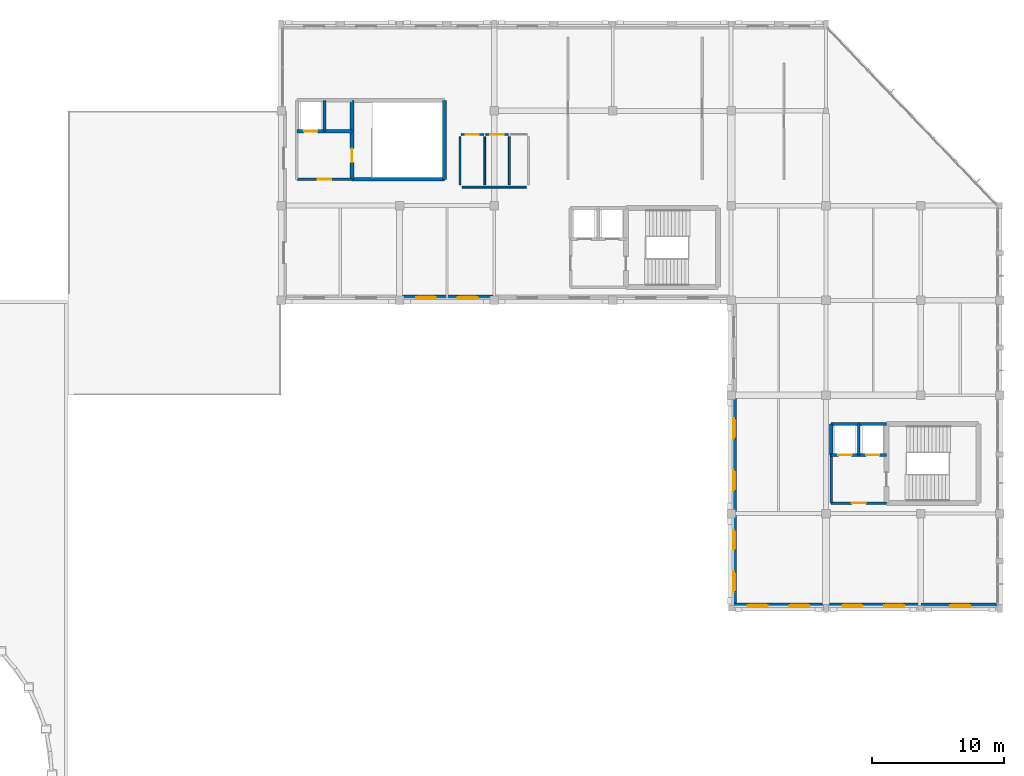
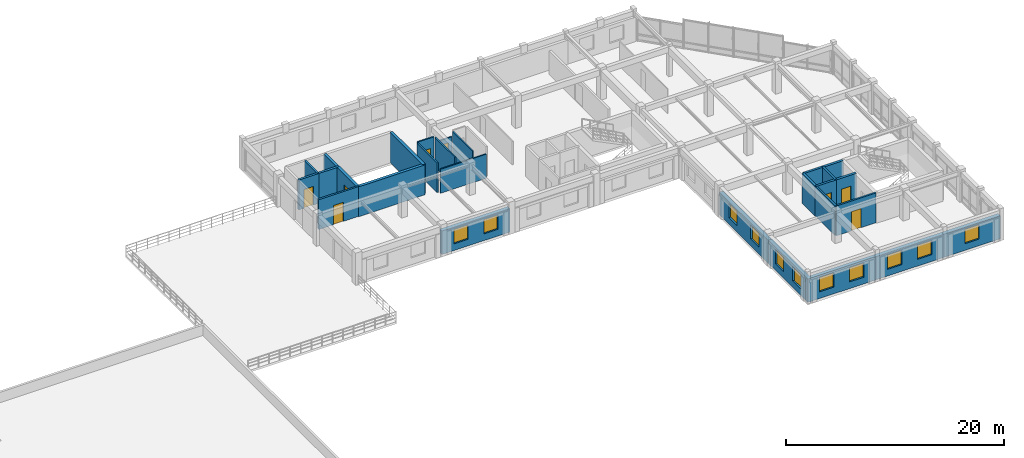
# One storey, part 13 of 18: 26 walls, 11 windows, 8 doors, 19 openings.
"""IFC4 building model written with IfcOpenShell, lengths in metres."""

from ifc_helpers import new_model, si_unit, direction, frame, frame_2d, origin, place, context, subcontext, project, spatial, rectangle, extrude, material, layer, layer_set, type_object, element, fill, save


model = new_model("IFC4")

# Units and contexts
model_context = context("Model", 3, precision=1e-05, world=origin(), true_north=direction((0.0, 1.0)))
body_context = subcontext(model_context, "Body", "Model", "MODEL_VIEW")
ifc_project = project(units=[si_unit("LENGTHUNIT", "METRE"), si_unit("AREAUNIT", "SQUARE_METRE"), si_unit("VOLUMEUNIT", "CUBIC_METRE"), si_unit("PLANEANGLEUNIT", "RADIAN"), si_unit("MASSUNIT", "GRAM", prefix="KILO")], contexts=[model_context])

# Site, building, storey
site_placement = place(None, origin())
site = spatial("IfcSite", under=ifc_project, at=site_placement, CompositionType="ELEMENT")
building_placement = place(site_placement, origin())
building = spatial("IfcBuilding", under=site, at=building_placement, Name="Clarverna Civic Hall", CompositionType="ELEMENT")
storey_placement = place(building_placement, frame((0.0, 0.0, 20.39990234375)))
storey = spatial("IfcBuildingStorey", under=building, at=storey_placement, Name="L05", CompositionType="ELEMENT", Elevation=20.39990234375)

# Wall, opening, window
ifc_material_1 = material(Name="Montjuic Limestone Ashlar Cladding", Category="masonry")
ifc_layer_1 = layer(ifc_material_1, 0.39990234375)
ifc_layer_set_1 = layer_set([ifc_layer_1], Name="Montjuic Limestone Ashlar Cladding")
wall_type_1 = type_object("IfcWallType", Name="EW-02", PredefinedType="SOLIDWALL", material=ifc_layer_set_1)
wall_1_placement = place(storey_placement, frame((168.0, 71.800048828125, 0.0), z_axis=(0.0, 0.0, 1.0), x_axis=(-1.0, 0.0, 0.0)))
wall_1 = element("IfcWall", 1, at=wall_1_placement, inside=storey, type_object=wall_type_1, Name="EW-02-259", PredefinedType="SOLIDWALL", context=body_context, shape_type="SweptSolid", body=[
    extrude(rectangle(XDim=6.0, YDim=0.39990234375, at=frame_2d((3.0, 0.0))), origin(), (0.0, 0.0, 1.0), 2.590087890625),
])
opening_1_placement = place(wall_1_placement, frame((2.25, 0.0, 0.75)))
opening_1 = element("IfcOpeningElement", 2, at=opening_1_placement, cuts=wall_1, Name="Opening WN-14", PredefinedType="OPENING", context=body_context, shape_type="SweptSolid", body=[
    extrude(rectangle(XDim=1.5, YDim=1.60009765625, at=frame_2d((0.75, 0.800048828125))), frame((0.0, 0.2099609375, 0.0), z_axis=(0.0, -1.0, 0.0), x_axis=(1.0, 0.0, 0.0)), (0.0, 0.0, 1.0), 0.419921875),
])
ifc_material_2 = material(Name="Solar-Control Argon Low-E Double Glazing", Category="glass")
window_type = type_object("IfcWindowType", Name="WN-14", PartitioningType="DOUBLE_PANEL_HORIZONTAL", PredefinedType="WINDOW", material=ifc_material_2)
window_1_placement = place(opening_1_placement, origin())
window_1 = element("IfcWindow", 3, at=window_1_placement, inside=storey, type_object=window_type, Name="WN-14-298", OverallHeight=1.60009765625, OverallWidth=1.5, PartitioningType="DOUBLE_PANEL_HORIZONTAL", PredefinedType="WINDOW", context=body_context, shape_type="SweptSolid", body=[
    extrude(rectangle(XDim=1.5, YDim=1.60009765625, at=frame_2d((0.75, 0.800048828125))), frame((0.0, 0.030029296875, 0.0), z_axis=(0.0, -1.0, 0.0), x_axis=(1.0, 0.0, 0.0)), (0.0, 0.0, 1.0), 0.06005859375),
])
fill(opening_1, window_1)

# Wall, openings, windows
wall_2_placement = place(storey_placement, frame((162.0, 71.800048828125, 0.0), z_axis=(0.0, 0.0, 1.0), x_axis=(-1.0, 0.0, 0.0)))
wall_2 = element("IfcWall", 4, at=wall_2_placement, inside=storey, type_object=wall_type_1, Name="EW-02-260", PredefinedType="SOLIDWALL", context=body_context, shape_type="SweptSolid", body=[
    extrude(rectangle(XDim=7.199951171875, YDim=0.39990234375, at=frame_2d((3.60009765625, 0.0))), origin(), (0.0, 0.0, 1.0), 2.590087890625),
])
opening_2_placement = place(wall_2_placement, frame((1.26611328125, 0.0, 0.75)))
opening_2 = element("IfcOpeningElement", 5, at=opening_2_placement, cuts=wall_2, Name="Opening WN-14", PredefinedType="OPENING", context=body_context, shape_type="SweptSolid", body=[
    extrude(rectangle(XDim=1.5, YDim=1.60009765625, at=frame_2d((0.75, 0.800048828125))), frame((0.0, 0.2099609375, 0.0), z_axis=(0.0, -1.0, 0.0), x_axis=(1.0, 0.0, 0.0)), (0.0, 0.0, 1.0), 0.419921875),
])
opening_3_placement = place(wall_2_placement, frame((4.43408203125, 0.0, 0.75)))
opening_3 = element("IfcOpeningElement", 6, at=opening_3_placement, cuts=wall_2, Name="Opening WN-14", PredefinedType="OPENING", context=body_context, shape_type="SweptSolid", body=[
    extrude(rectangle(XDim=1.5, YDim=1.60009765625, at=frame_2d((0.75, 0.800048828125))), frame((0.0, 0.2099609375, 0.0), z_axis=(0.0, -1.0, 0.0), x_axis=(1.0, 0.0, 0.0)), (0.0, 0.0, 1.0), 0.419921875),
])
window_2_placement = place(opening_2_placement, origin())
window_2 = element("IfcWindow", 7, at=window_2_placement, inside=storey, type_object=window_type, Name="WN-14-299", OverallHeight=1.60009765625, OverallWidth=1.5, PartitioningType="DOUBLE_PANEL_HORIZONTAL", PredefinedType="WINDOW", context=body_context, shape_type="SweptSolid", body=[
    extrude(rectangle(XDim=1.5, YDim=1.60009765625, at=frame_2d((0.75, 0.800048828125))), frame((0.0, 0.030029296875, 0.0), z_axis=(0.0, -1.0, 0.0), x_axis=(1.0, 0.0, 0.0)), (0.0, 0.0, 1.0), 0.06005859375),
])
fill(opening_2, window_2)
window_3_placement = place(opening_3_placement, origin())
window_3 = element("IfcWindow", 8, at=window_3_placement, inside=storey, type_object=window_type, Name="WN-14-300", OverallHeight=1.60009765625, OverallWidth=1.5, PartitioningType="DOUBLE_PANEL_HORIZONTAL", PredefinedType="WINDOW", context=body_context, shape_type="SweptSolid", body=[
    extrude(rectangle(XDim=1.5, YDim=1.60009765625, at=frame_2d((0.75, 0.800048828125))), frame((0.0, 0.030029296875, 0.0), z_axis=(0.0, -1.0, 0.0), x_axis=(1.0, 0.0, 0.0)), (0.0, 0.0, 1.0), 0.06005859375),
])
fill(opening_3, window_3)

wall_3_placement = place(storey_placement, frame((154.800048828125, 71.800048828125, 0.0), z_axis=(0.0, 0.0, 1.0), x_axis=(-1.0, 0.0, 0.0)))
wall_3 = element("IfcWall", 9, at=wall_3_placement, inside=storey, type_object=wall_type_1, Name="EW-02-261", PredefinedType="SOLIDWALL", context=body_context, shape_type="SweptSolid", body=[
    extrude(rectangle(XDim=7.199951171875, YDim=0.39990234375, at=frame_2d((3.60009765625, 0.0))), origin(), (0.0, 0.0, 1.0), 2.590087890625),
])
opening_4_placement = place(wall_3_placement, frame((1.26611328125, 0.0, 0.75)))
opening_4 = element("IfcOpeningElement", 10, at=opening_4_placement, cuts=wall_3, Name="Opening WN-14", PredefinedType="OPENING", context=body_context, shape_type="SweptSolid", body=[
    extrude(rectangle(XDim=1.5, YDim=1.60009765625, at=frame_2d((0.75, 0.800048828125))), frame((0.0, 0.2099609375, 0.0), z_axis=(0.0, -1.0, 0.0), x_axis=(1.0, 0.0, 0.0)), (0.0, 0.0, 1.0), 0.419921875),
])
opening_5_placement = place(wall_3_placement, frame((4.43408203125, 0.0, 0.75)))
opening_5 = element("IfcOpeningElement", 11, at=opening_5_placement, cuts=wall_3, Name="Opening WN-14", PredefinedType="OPENING", context=body_context, shape_type="SweptSolid", body=[
    extrude(rectangle(XDim=1.5, YDim=1.60009765625, at=frame_2d((0.75, 0.800048828125))), frame((0.0, 0.2099609375, 0.0), z_axis=(0.0, -1.0, 0.0), x_axis=(1.0, 0.0, 0.0)), (0.0, 0.0, 1.0), 0.419921875),
])
window_4_placement = place(opening_4_placement, origin())
window_4 = element("IfcWindow", 12, at=window_4_placement, inside=storey, type_object=window_type, Name="WN-14-301", OverallHeight=1.60009765625, OverallWidth=1.5, PartitioningType="DOUBLE_PANEL_HORIZONTAL", PredefinedType="WINDOW", context=body_context, shape_type="SweptSolid", body=[
    extrude(rectangle(XDim=1.5, YDim=1.60009765625, at=frame_2d((0.75, 0.800048828125))), frame((0.0, 0.030029296875, 0.0), z_axis=(0.0, -1.0, 0.0), x_axis=(1.0, 0.0, 0.0)), (0.0, 0.0, 1.0), 0.06005859375),
])
fill(opening_4, window_4)
window_5_placement = place(opening_5_placement, origin())
window_5 = element("IfcWindow", 13, at=window_5_placement, inside=storey, type_object=window_type, Name="WN-14-302", OverallHeight=1.60009765625, OverallWidth=1.5, PartitioningType="DOUBLE_PANEL_HORIZONTAL", PredefinedType="WINDOW", context=body_context, shape_type="SweptSolid", body=[
    extrude(rectangle(XDim=1.5, YDim=1.60009765625, at=frame_2d((0.75, 0.800048828125))), frame((0.0, 0.030029296875, 0.0), z_axis=(0.0, -1.0, 0.0), x_axis=(1.0, 0.0, 0.0)), (0.0, 0.0, 1.0), 0.06005859375),
])
fill(opening_5, window_5)

wall_4_placement = place(storey_placement, frame((147.800048828125, 71.60009765625, 0.0), z_axis=(0.0, 0.0, 1.0), x_axis=(0.0, 1.0, 0.0)))
wall_4 = element("IfcWall", 14, at=wall_4_placement, inside=storey, type_object=wall_type_1, Name="EW-02-262", PredefinedType="SOLIDWALL", context=body_context, shape_type="SweptSolid", body=[
    extrude(rectangle(XDim=7.199951171875, YDim=0.39990234375, at=frame_2d((3.60009765625, 0.0))), origin(), (0.0, 0.0, 1.0), 2.6201171875),
])
opening_6_placement = place(wall_4_placement, frame((1.26611328125, 0.0, 0.75)))
opening_6 = element("IfcOpeningElement", 15, at=opening_6_placement, cuts=wall_4, Name="Opening WN-14", PredefinedType="OPENING", context=body_context, shape_type="SweptSolid", body=[
    extrude(rectangle(XDim=1.5, YDim=1.60009765625, at=frame_2d((0.75, 0.800048828125))), frame((0.0, 0.2099609375, 0.0), z_axis=(0.0, -1.0, 0.0), x_axis=(1.0, 0.0, 0.0)), (0.0, 0.0, 1.0), 0.419921875),
])
opening_7_placement = place(wall_4_placement, frame((4.43408203125, 0.0, 0.75)))
opening_7 = element("IfcOpeningElement", 16, at=opening_7_placement, cuts=wall_4, Name="Opening WN-14", PredefinedType="OPENING", context=body_context, shape_type="SweptSolid", body=[
    extrude(rectangle(XDim=1.5, YDim=1.60009765625, at=frame_2d((0.75, 0.800048828125))), frame((0.0, 0.2099609375, 0.0), z_axis=(0.0, -1.0, 0.0), x_axis=(1.0, 0.0, 0.0)), (0.0, 0.0, 1.0), 0.419921875),
])
window_6_placement = place(opening_6_placement, origin())
window_6 = element("IfcWindow", 17, at=window_6_placement, inside=storey, type_object=window_type, Name="WN-14-303", OverallHeight=1.60009765625, OverallWidth=1.5, PartitioningType="DOUBLE_PANEL_HORIZONTAL", PredefinedType="WINDOW", context=body_context, shape_type="SweptSolid", body=[
    extrude(rectangle(XDim=1.5, YDim=1.60009765625, at=frame_2d((0.75, 0.800048828125))), frame((0.0, 0.030029296875, 0.0), z_axis=(0.0, -1.0, 0.0), x_axis=(1.0, 0.0, 0.0)), (0.0, 0.0, 1.0), 0.06005859375),
])
fill(opening_6, window_6)
window_7_placement = place(opening_7_placement, origin())
window_7 = element("IfcWindow", 18, at=window_7_placement, inside=storey, type_object=window_type, Name="WN-14-304", OverallHeight=1.60009765625, OverallWidth=1.5, PartitioningType="DOUBLE_PANEL_HORIZONTAL", PredefinedType="WINDOW", context=body_context, shape_type="SweptSolid", body=[
    extrude(rectangle(XDim=1.5, YDim=1.60009765625, at=frame_2d((0.75, 0.800048828125))), frame((0.0, 0.030029296875, 0.0), z_axis=(0.0, -1.0, 0.0), x_axis=(1.0, 0.0, 0.0)), (0.0, 0.0, 1.0), 0.06005859375),
])
fill(opening_7, window_7)

wall_5_placement = place(storey_placement, frame((147.800048828125, 78.800048828125, 0.0), z_axis=(0.0, 0.0, 1.0), x_axis=(0.0, 1.0, 0.0)))
wall_5 = element("IfcWall", 19, at=wall_5_placement, inside=storey, type_object=wall_type_1, Name="EW-02-263", PredefinedType="SOLIDWALL", context=body_context, shape_type="SweptSolid", body=[
    extrude(rectangle(XDim=9.0, YDim=0.39990234375, at=frame_2d((4.5, 0.0))), origin(), (0.0, 0.0, 1.0), 2.5400390625),
])
opening_8_placement = place(wall_5_placement, frame((1.77001953125, 0.0, 0.75)))
opening_8 = element("IfcOpeningElement", 20, at=opening_8_placement, cuts=wall_5, Name="Opening WN-14", PredefinedType="OPENING", context=body_context, shape_type="SweptSolid", body=[
    extrude(rectangle(XDim=1.5, YDim=1.60009765625, at=frame_2d((0.75, 0.800048828125))), frame((0.0, 0.2099609375, 0.0), z_axis=(0.0, -1.0, 0.0), x_axis=(1.0, 0.0, 0.0)), (0.0, 0.0, 1.0), 0.419921875),
])
opening_9_placement = place(wall_5_placement, frame((5.72998046875, 0.0, 0.75)))
opening_9 = element("IfcOpeningElement", 21, at=opening_9_placement, cuts=wall_5, Name="Opening WN-14", PredefinedType="OPENING", context=body_context, shape_type="SweptSolid", body=[
    extrude(rectangle(XDim=1.5, YDim=1.60009765625, at=frame_2d((0.75, 0.800048828125))), frame((0.0, 0.2099609375, 0.0), z_axis=(0.0, -1.0, 0.0), x_axis=(1.0, 0.0, 0.0)), (0.0, 0.0, 1.0), 0.419921875),
])
window_8_placement = place(opening_8_placement, origin())
window_8 = element("IfcWindow", 22, at=window_8_placement, inside=storey, type_object=window_type, Name="WN-14-305", OverallHeight=1.60009765625, OverallWidth=1.5, PartitioningType="DOUBLE_PANEL_HORIZONTAL", PredefinedType="WINDOW", context=body_context, shape_type="SweptSolid", body=[
    extrude(rectangle(XDim=1.5, YDim=1.60009765625, at=frame_2d((0.75, 0.800048828125))), frame((0.0, 0.030029296875, 0.0), z_axis=(0.0, -1.0, 0.0), x_axis=(1.0, 0.0, 0.0)), (0.0, 0.0, 1.0), 0.06005859375),
])
fill(opening_8, window_8)
window_9_placement = place(opening_9_placement, origin())
window_9 = element("IfcWindow", 23, at=window_9_placement, inside=storey, type_object=window_type, Name="WN-14-306", OverallHeight=1.60009765625, OverallWidth=1.5, PartitioningType="DOUBLE_PANEL_HORIZONTAL", PredefinedType="WINDOW", context=body_context, shape_type="SweptSolid", body=[
    extrude(rectangle(XDim=1.5, YDim=1.60009765625, at=frame_2d((0.75, 0.800048828125))), frame((0.0, 0.030029296875, 0.0), z_axis=(0.0, -1.0, 0.0), x_axis=(1.0, 0.0, 0.0)), (0.0, 0.0, 1.0), 0.06005859375),
])
fill(opening_9, window_9)

wall_6_placement = place(storey_placement, frame((129.60009765625, 95.199951171875, 0.0), z_axis=(0.0, 0.0, 1.0), x_axis=(-1.0, 0.0, 0.0)))
wall_6 = element("IfcWall", 24, at=wall_6_placement, inside=storey, type_object=wall_type_1, Name="EW-02-267", PredefinedType="SOLIDWALL", context=body_context, shape_type="SweptSolid", body=[
    extrude(rectangle(XDim=7.2001953125, YDim=0.39990234375, at=frame_2d((3.60009765625, 0.0))), origin(), (0.0, 0.0, 1.0), 2.6201171875),
])
opening_10_placement = place(wall_6_placement, frame((1.26611328125, 0.0, 0.75)))
opening_10 = element("IfcOpeningElement", 25, at=opening_10_placement, cuts=wall_6, Name="Opening WN-14", PredefinedType="OPENING", context=body_context, shape_type="SweptSolid", body=[
    extrude(rectangle(XDim=1.5, YDim=1.60009765625, at=frame_2d((0.75, 0.800048828125))), frame((0.0, 0.2099609375, 0.0), z_axis=(0.0, -1.0, 0.0), x_axis=(1.0, 0.0, 0.0)), (0.0, 0.0, 1.0), 0.419921875),
])
opening_11_placement = place(wall_6_placement, frame((4.43408203125, 0.0, 0.75)))
opening_11 = element("IfcOpeningElement", 26, at=opening_11_placement, cuts=wall_6, Name="Opening WN-14", PredefinedType="OPENING", context=body_context, shape_type="SweptSolid", body=[
    extrude(rectangle(XDim=1.5, YDim=1.60009765625, at=frame_2d((0.75, 0.800048828125))), frame((0.0, 0.2099609375, 0.0), z_axis=(0.0, -1.0, 0.0), x_axis=(1.0, 0.0, 0.0)), (0.0, 0.0, 1.0), 0.419921875),
])
window_10_placement = place(opening_10_placement, origin())
window_10 = element("IfcWindow", 27, at=window_10_placement, inside=storey, type_object=window_type, Name="WN-14-313", OverallHeight=1.60009765625, OverallWidth=1.5, PartitioningType="DOUBLE_PANEL_HORIZONTAL", PredefinedType="WINDOW", context=body_context, shape_type="SweptSolid", body=[
    extrude(rectangle(XDim=1.5, YDim=1.60009765625, at=frame_2d((0.75, 0.800048828125))), frame((0.0, 0.030029296875, 0.0), z_axis=(0.0, -1.0, 0.0), x_axis=(1.0, 0.0, 0.0)), (0.0, 0.0, 1.0), 0.06005859375),
])
fill(opening_10, window_10)
window_11_placement = place(opening_11_placement, origin())
window_11 = element("IfcWindow", 28, at=window_11_placement, inside=storey, type_object=window_type, Name="WN-14-314", OverallHeight=1.60009765625, OverallWidth=1.5, PartitioningType="DOUBLE_PANEL_HORIZONTAL", PredefinedType="WINDOW", context=body_context, shape_type="SweptSolid", body=[
    extrude(rectangle(XDim=1.5, YDim=1.60009765625, at=frame_2d((0.75, 0.800048828125))), frame((0.0, 0.030029296875, 0.0), z_axis=(0.0, -1.0, 0.0), x_axis=(1.0, 0.0, 0.0)), (0.0, 0.0, 1.0), 0.06005859375),
])
fill(opening_11, window_11)

# Walls
ifc_material_3 = material(Name="Ceramic Brick and Plaster Wet-Room Partition", Category="masonry")
ifc_layer_2 = layer(ifc_material_3, 0.139892578125)
ifc_layer_set_2 = layer_set([ifc_layer_2], Name="Ceramic Brick and Plaster Wet-Room Partition")
wall_type_2 = type_object("IfcWallType", Name="PW-02", PredefinedType="PARTITIONING", material=ifc_layer_set_2)
wall_7_placement = place(storey_placement, frame((127.179931640625, 103.60009765625, 0.0), z_axis=(0.0, 0.0, 1.0), x_axis=(1.0, 0.0, 0.0)))
element("IfcWall", 29, at=wall_7_placement, inside=storey, type_object=wall_type_2, Name="PW-02-049", PredefinedType="PARTITIONING", context=body_context, shape_type="SweptSolid", body=[
    extrude(rectangle(XDim=4.840087890625, YDim=0.139892578125, at=frame_2d((2.419921875, 0.0))), origin(), (0.0, 0.0, 1.0), 2.690185546875),
])
for number, where, z_axis, x_axis, name in (
    (30, (127.0, 103.780029296875, 0.0), (0.0, 0.0, 1.0), (0.0, 1.0, 0.0), "PW-02-050"),
    (31, (128.8720703125, 103.780029296875, 0.0), (0.0, 0.0, 1.0), (0.0, 1.0, 0.0), "PW-02-052"),
    (32, (130.743896484375, 103.780029296875, 0.0), (0.0, 0.0, 1.0), (0.0, 1.0, 0.0), "PW-02-053"),
):
    element("IfcWall", number, at=place(storey_placement, frame(where, z_axis=z_axis, x_axis=x_axis)), inside=storey, type_object=wall_type_2, Name=name, PredefinedType="PARTITIONING", context=body_context, shape_type="SweptSolid", body=[
        extrude(rectangle(XDim=3.639892578125, YDim=0.139892578125, at=frame_2d((1.81982421875, 0.0))), origin(), (0.0, 0.0, 1.0), 3.340087890625),
    ])

# Wall, opening, door
wall_8_placement = place(storey_placement, frame((127.080078125, 107.60009765625, 0.0), z_axis=(0.0, 0.0, 1.0), x_axis=(1.0, 0.0, 0.0)))
wall_8 = element("IfcWall", 33, at=wall_8_placement, inside=storey, type_object=wall_type_2, Name="PW-02-054", PredefinedType="PARTITIONING", context=body_context, shape_type="SweptSolid", body=[
    extrude(rectangle(XDim=1.7119140625, YDim=0.139892578125, at=frame_2d((0.85595703125, 0.0))), origin(), (0.0, 0.0, 1.0), 3.340087890625),
])
opening_12_placement = place(wall_8_placement, frame((0.35595703125, 0.0, 0.0)))
opening_12 = element("IfcOpeningElement", 34, at=opening_12_placement, cuts=wall_8, Name="Opening ID-02", PredefinedType="OPENING", context=body_context, shape_type="SweptSolid", body=[
    extrude(rectangle(XDim=1.0, YDim=2.14990234375, at=frame_2d((0.5, 1.074951171875))), frame((0.0, 0.079833984375, 0.0), z_axis=(0.0, -1.0, 0.0), x_axis=(1.0, 0.0, 0.0)), (0.0, 0.0, 1.0), 0.159912109375),
])
ifc_material_4 = material(Name="European Oak Veneered Acoustic Timber Door", Category="wood")
door_type_1 = type_object("IfcDoorType", Name="ID-02", OperationType="NOTDEFINED", PredefinedType="DOOR", material=ifc_material_4)
door_1_placement = place(opening_12_placement, origin())
door_1 = element("IfcDoor", 35, at=door_1_placement, inside=storey, type_object=door_type_1, Name="ID-02-019", OperationType="SINGLE_SWING_LEFT", OverallHeight=2.14990234375, OverallWidth=1.0, PredefinedType="DOOR", context=body_context, shape_type="SweptSolid", body=[
    extrude(rectangle(XDim=1.0, YDim=2.14990234375, at=frame_2d((0.5, 1.074951171875))), frame((0.0, 0.02490234375, 0.0), z_axis=(0.0, -1.0, 0.0), x_axis=(1.0, 0.0, 0.0)), (0.0, 0.0, 1.0), 0.050048828125),
])
fill(opening_12, door_1)

wall_9_placement = place(storey_placement, frame((128.951904296875, 107.60009765625, 0.0), z_axis=(0.0, 0.0, 1.0), x_axis=(1.0, 0.0, 0.0)))
wall_9 = element("IfcWall", 36, at=wall_9_placement, inside=storey, type_object=wall_type_2, Name="PW-02-055", PredefinedType="PARTITIONING", context=body_context, shape_type="SweptSolid", body=[
    extrude(rectangle(XDim=1.712158203125, YDim=0.139892578125, at=frame_2d((0.85595703125, 0.0))), origin(), (0.0, 0.0, 1.0), 2.690185546875),
])
opening_13_placement = place(wall_9_placement, frame((0.35595703125, 0.0, 0.0)))
opening_13 = element("IfcOpeningElement", 37, at=opening_13_placement, cuts=wall_9, Name="Opening ID-02", PredefinedType="OPENING", context=body_context, shape_type="SweptSolid", body=[
    extrude(rectangle(XDim=1.0, YDim=2.14990234375, at=frame_2d((0.5, 1.074951171875))), frame((0.0, 0.079833984375, 0.0), z_axis=(0.0, -1.0, 0.0), x_axis=(1.0, 0.0, 0.0)), (0.0, 0.0, 1.0), 0.159912109375),
])
door_2_placement = place(opening_13_placement, origin())
door_2 = element("IfcDoor", 38, at=door_2_placement, inside=storey, type_object=door_type_1, Name="ID-02-020", OperationType="SINGLE_SWING_RIGHT", OverallHeight=2.14990234375, OverallWidth=1.0, PredefinedType="DOOR", context=body_context, shape_type="SweptSolid", body=[
    extrude(rectangle(XDim=1.0, YDim=2.14990234375, at=frame_2d((0.5, 1.074951171875))), frame((0.0, 0.02490234375, 0.0), z_axis=(0.0, -1.0, 0.0), x_axis=(1.0, 0.0, 0.0)), (0.0, 0.0, 1.0), 0.050048828125),
])
fill(opening_13, door_2)

# Wall
ifc_material_5 = material(Name="Acoustic Gypsum Plasterboard on Twin Frame", Category="gypsum")
ifc_layer_3 = layer(ifc_material_5, 0.18994140625)
ifc_layer_set_3 = layer_set([ifc_layer_3], Name="Acoustic Gypsum Plasterboard on Twin Frame")
wall_type_3 = type_object("IfcWallType", Name="PW-06", PredefinedType="PARTITIONING", material=ifc_layer_set_3)
wall_10_placement = place(storey_placement, frame((155.199951171875, 79.60009765625, 0.0), z_axis=(0.0, 0.0, 1.0), x_axis=(0.0, 1.0, 0.0)))
element("IfcWall", 39, at=wall_10_placement, inside=storey, type_object=wall_type_3, Name="PW-06-031", PredefinedType="PARTITIONING", context=body_context, shape_type="SweptSolid", body=[
    extrude(rectangle(XDim=3.64990234375, YDim=0.18994140625, at=frame_2d((1.824951171875, 0.0))), origin(), (0.0, 0.0, 1.0), 3.340087890625),
])

# Wall, opening, door
wall_11_placement = place(storey_placement, frame((155.199951171875, 79.60009765625, 0.0), z_axis=(0.0, 0.0, 1.0), x_axis=(1.0, 0.0, 0.0)))
wall_11 = element("IfcWall", 40, at=wall_11_placement, inside=storey, type_object=wall_type_3, Name="PW-06-032", PredefinedType="PARTITIONING", context=body_context, shape_type="SweptSolid", body=[
    extrude(rectangle(XDim=4.199951171875, YDim=0.18994140625, at=frame_2d((2.10009765625, 0.0))), origin(), (0.0, 0.0, 1.0), 3.340087890625),
])
opening_14_placement = place(wall_11_placement, frame((1.574951171875, 0.0, 0.0)))
opening_14 = element("IfcOpeningElement", 41, at=opening_14_placement, cuts=wall_11, Name="Opening FD-02", PredefinedType="OPENING", context=body_context, shape_type="SweptSolid", body=[
    extrude(rectangle(XDim=1.050048828125, YDim=2.14990234375, at=frame_2d((0.52490234375, 1.074951171875))), frame((0.0, 0.10498046875, 0.0), z_axis=(0.0, -1.0, 0.0), x_axis=(1.0, 0.0, 0.0)), (0.0, 0.0, 1.0), 0.2099609375),
])
ifc_material_6 = material(Name="Acoustic Timber-Faced Fire Door", Category="wood")
door_type_2 = type_object("IfcDoorType", Name="FD-02", OperationType="NOTDEFINED", PredefinedType="DOOR", material=ifc_material_6)
door_3_placement = place(opening_14_placement, origin())
door_3 = element("IfcDoor", 42, at=door_3_placement, inside=storey, type_object=door_type_2, Name="FD-02-030", OperationType="SINGLE_SWING_RIGHT", OverallHeight=2.14990234375, OverallWidth=1.050048828125, PredefinedType="DOOR", context=body_context, shape_type="SweptSolid", body=[
    extrude(rectangle(XDim=1.050048828125, YDim=2.14990234375, at=frame_2d((0.52490234375, 1.074951171875))), frame((0.0, 0.02490234375, 0.0), z_axis=(0.0, -1.0, 0.0), x_axis=(1.0, 0.0, 0.0)), (0.0, 0.0, 1.0), 0.050048828125),
])
fill(opening_14, door_3)

wall_12_placement = place(storey_placement, frame((114.60009765625, 104.199951171875, 0.0), z_axis=(0.0, 0.0, 1.0), x_axis=(1.0, 0.0, 0.0)))
wall_12 = element("IfcWall", 43, at=wall_12_placement, inside=storey, type_object=wall_type_3, Name="PW-06-102", PredefinedType="PARTITIONING", context=body_context, shape_type="SweptSolid", body=[
    extrude(rectangle(XDim=4.199951171875, YDim=0.18994140625, at=frame_2d((2.10009765625, 0.0))), origin(), (0.0, 0.0, 1.0), 3.340087890625),
])
opening_15_placement = place(wall_12_placement, frame((1.574951171875, 0.0, 0.0)))
opening_15 = element("IfcOpeningElement", 44, at=opening_15_placement, cuts=wall_12, Name="Opening FD-02", PredefinedType="OPENING", context=body_context, shape_type="SweptSolid", body=[
    extrude(rectangle(XDim=1.050048828125, YDim=2.14990234375, at=frame_2d((0.52490234375, 1.074951171875))), frame((0.0, 0.10498046875, 0.0), z_axis=(0.0, -1.0, 0.0), x_axis=(1.0, 0.0, 0.0)), (0.0, 0.0, 1.0), 0.2099609375),
])
door_4_placement = place(opening_15_placement, origin())
door_4 = element("IfcDoor", 45, at=door_4_placement, inside=storey, type_object=door_type_2, Name="FD-02-094", OperationType="SINGLE_SWING_RIGHT", OverallHeight=2.14990234375, OverallWidth=1.050048828125, PredefinedType="DOOR", context=body_context, shape_type="SweptSolid", body=[
    extrude(rectangle(XDim=1.050048828125, YDim=2.14990234375, at=frame_2d((0.52490234375, 1.074951171875))), frame((0.0, 0.02490234375, 0.0), z_axis=(0.0, -1.0, 0.0), x_axis=(1.0, 0.0, 0.0)), (0.0, 0.0, 1.0), 0.050048828125),
])
fill(opening_15, door_4)

# Walls
ifc_material_7 = material(Name="Concrete C35/45", Category="concrete")
ifc_layer_4 = layer(ifc_material_7, 0.3798828125)
ifc_layer_set_4 = layer_set([ifc_layer_4], Name="Concrete C35/45")
wall_type_4 = type_object("IfcWallType", Name="SW-01", PredefinedType="SHEAR", material=ifc_layer_set_4)
wall_13_placement = place(storey_placement, frame((155.199951171875, 85.60009765625, 0.0), z_axis=(0.0, 0.0, 1.0), x_axis=(1.0, 0.0, 0.0)))
element("IfcWall", 46, at=wall_13_placement, inside=storey, type_object=wall_type_4, Name="SW-01-140", PredefinedType="SHEAR", context=body_context, shape_type="SweptSolid", body=[
    extrude(rectangle(XDim=4.199951171875, YDim=0.239990234375, at=frame_2d((2.10009765625, 0.0))), origin(), (0.0, 0.0, 1.0), 3.340087890625),
])
wall_14_placement = place(storey_placement, frame((155.199951171875, 83.25, 0.0), z_axis=(0.0, 0.0, 1.0), x_axis=(0.0, 1.0, 0.0)))
element("IfcWall", 47, at=wall_14_placement, inside=storey, type_object=wall_type_4, Name="SW-01-141", PredefinedType="SHEAR", context=body_context, shape_type="SweptSolid", body=[
    extrude(rectangle(XDim=2.35009765625, YDim=0.239990234375, at=frame_2d((1.175048828125, 0.0))), origin(), (0.0, 0.0, 1.0), 3.340087890625),
])
wall_15_placement = place(storey_placement, frame((157.300048828125, 83.25, 0.0), z_axis=(0.0, 0.0, 1.0), x_axis=(0.0, 1.0, 0.0)))
element("IfcWall", 48, at=wall_15_placement, inside=storey, type_object=wall_type_4, Name="SW-01-142", PredefinedType="SHEAR", context=body_context, shape_type="SweptSolid", body=[
    extrude(rectangle(XDim=2.35009765625, YDim=0.199951171875, at=frame_2d((1.175048828125, 0.0))), origin(), (0.0, 0.0, 1.0), 3.340087890625),
])

# Wall, opening, door
wall_16_placement = place(storey_placement, frame((155.199951171875, 83.25, 0.0), z_axis=(0.0, 0.0, 1.0), x_axis=(1.0, 0.0, 0.0)))
wall_16 = element("IfcWall", 49, at=wall_16_placement, inside=storey, type_object=wall_type_4, Name="SW-01-143", PredefinedType="SHEAR", context=body_context, shape_type="SweptSolid", body=[
    extrude(rectangle(XDim=2.10009765625, YDim=0.239990234375, at=frame_2d((1.050048828125, 0.0))), origin(), (0.0, 0.0, 1.0), 3.340087890625),
])
opening_16_placement = place(wall_16_placement, frame((0.550048828125, 0.0, 0.0)))
opening_16 = element("IfcOpeningElement", 50, at=opening_16_placement, cuts=wall_16, Name="Opening LD-01", PredefinedType="OPENING", context=body_context, shape_type="SweptSolid", body=[
    extrude(rectangle(XDim=1.0, YDim=2.10009765625, at=frame_2d((0.5, 1.050048828125))), frame((0.0, 0.1298828125, 0.0), z_axis=(0.0, -1.0, 0.0), x_axis=(1.0, 0.0, 0.0)), (0.0, 0.0, 1.0), 0.260009765625),
])
ifc_material_8 = material(Name="Brushed Bronze Stainless Lift Landing Door")
door_type_3 = type_object("IfcDoorType", Name="LD-01", OperationType="SLIDING_TO_LEFT", PredefinedType="DOOR", material=ifc_material_8)
door_5_placement = place(opening_16_placement, origin())
door_5 = element("IfcDoor", 51, at=door_5_placement, inside=storey, type_object=door_type_3, Name="LD-01-031", OperationType="SLIDING_TO_LEFT", OverallHeight=2.10009765625, OverallWidth=1.0, PredefinedType="DOOR", context=body_context, shape_type="SweptSolid", body=[
    extrude(rectangle(XDim=1.0, YDim=2.10009765625, at=frame_2d((0.5, 1.050048828125))), frame((0.0, 0.02490234375, 0.0), z_axis=(0.0, -1.0, 0.0), x_axis=(1.0, 0.0, 0.0)), (0.0, 0.0, 1.0), 0.050048828125),
])
fill(opening_16, door_5)

wall_17_placement = place(storey_placement, frame((157.300048828125, 83.25, 0.0), z_axis=(0.0, 0.0, 1.0), x_axis=(1.0, 0.0, 0.0)))
wall_17 = element("IfcWall", 52, at=wall_17_placement, inside=storey, type_object=wall_type_4, Name="SW-01-144", PredefinedType="SHEAR", context=body_context, shape_type="SweptSolid", body=[
    extrude(rectangle(XDim=2.099853515625, YDim=0.239990234375, at=frame_2d((1.0498046875, 0.0))), origin(), (0.0, 0.0, 1.0), 3.340087890625),
])
opening_17_placement = place(wall_17_placement, frame((0.550048828125, 0.0, 0.0)))
opening_17 = element("IfcOpeningElement", 53, at=opening_17_placement, cuts=wall_17, Name="Opening LD-01", PredefinedType="OPENING", context=body_context, shape_type="SweptSolid", body=[
    extrude(rectangle(XDim=1.0, YDim=2.10009765625, at=frame_2d((0.5, 1.050048828125))), frame((0.0, 0.1298828125, 0.0), z_axis=(0.0, -1.0, 0.0), x_axis=(1.0, 0.0, 0.0)), (0.0, 0.0, 1.0), 0.260009765625),
])
door_6_placement = place(opening_17_placement, origin())
door_6 = element("IfcDoor", 54, at=door_6_placement, inside=storey, type_object=door_type_3, Name="LD-01-032", OperationType="SLIDING_TO_LEFT", OverallHeight=2.10009765625, OverallWidth=1.0, PredefinedType="DOOR", context=body_context, shape_type="SweptSolid", body=[
    extrude(rectangle(XDim=1.0, YDim=2.10009765625, at=frame_2d((0.5, 1.050048828125))), frame((0.0, 0.02490234375, 0.0), z_axis=(0.0, -1.0, 0.0), x_axis=(1.0, 0.0, 0.0)), (0.0, 0.0, 1.0), 0.050048828125),
])
fill(opening_17, door_6)

ifc_layer_5 = layer(ifc_material_7, 0.300048828125)
ifc_layer_set_5 = layer_set([ifc_layer_5], Name="Concrete C35/45")
wall_type_5 = type_object("IfcWallType", Name="SW-03", PredefinedType="SHEAR", material=ifc_layer_set_5)
wall_18_placement = place(storey_placement, frame((118.800048828125, 104.199951171875, 0.0), z_axis=(0.0, 0.0, 1.0), x_axis=(0.0, 1.0, 0.0)))
wall_18 = element("IfcWall", 55, at=wall_18_placement, inside=storey, type_object=wall_type_5, Name="SW-03-199", PredefinedType="SHEAR", context=body_context, shape_type="SweptSolid", body=[
    extrude(rectangle(XDim=6.0, YDim=0.300048828125, at=frame_2d((3.0, 0.0))), origin(), (0.0, 0.0, 1.0), 3.340087890625),
])
opening_18_placement = place(wall_18_placement, frame((1.27490234375, 0.0, 0.0)))
opening_18 = element("IfcOpeningElement", 56, at=opening_18_placement, cuts=wall_18, Name="Opening FD-02", PredefinedType="OPENING", context=body_context, shape_type="SweptSolid", body=[
    extrude(rectangle(XDim=1.050048828125, YDim=2.14990234375, at=frame_2d((0.52490234375, 1.074951171875))), frame((0.0, 0.159912109375, 0.0), z_axis=(0.0, -1.0, 0.0), x_axis=(1.0, 0.0, 0.0)), (0.0, 0.0, 1.0), 0.320068359375),
])
door_7_placement = place(opening_18_placement, origin())
door_7 = element("IfcDoor", 57, at=door_7_placement, inside=storey, type_object=door_type_2, Name="FD-02-093", OperationType="SINGLE_SWING_LEFT", OverallHeight=2.14990234375, OverallWidth=1.050048828125, PredefinedType="DOOR", context=body_context, shape_type="SweptSolid", body=[
    extrude(rectangle(XDim=1.050048828125, YDim=2.14990234375, at=frame_2d((0.52490234375, 1.074951171875))), frame((0.0, 0.02490234375, 0.0), z_axis=(0.0, -1.0, 0.0), x_axis=(1.0, 0.0, 0.0)), (0.0, 0.0, 1.0), 0.050048828125),
])
fill(opening_18, door_7)

# Walls
wall_19_placement = place(storey_placement, frame((125.800048828125, 104.199951171875, 0.0), z_axis=(0.0, 0.0, 1.0), x_axis=(0.0, 1.0, 0.0)))
element("IfcWall", 58, at=wall_19_placement, inside=storey, type_object=wall_type_5, Name="SW-03-200", PredefinedType="SHEAR", context=body_context, shape_type="SweptSolid", body=[
    extrude(rectangle(XDim=6.0, YDim=0.300048828125, at=frame_2d((3.0, 0.0))), origin(), (0.0, 0.0, 1.0), 3.340087890625),
])
wall_20_placement = place(storey_placement, frame((118.800048828125, 104.199951171875, 0.0), z_axis=(0.0, 0.0, 1.0), x_axis=(1.0, 0.0, 0.0)))
element("IfcWall", 59, at=wall_20_placement, inside=storey, type_object=wall_type_5, Name="SW-03-201", PredefinedType="SHEAR", context=body_context, shape_type="SweptSolid", body=[
    extrude(rectangle(XDim=7.0, YDim=0.300048828125, at=frame_2d((3.5, 0.0))), origin(), (0.0, 0.0, 1.0), 3.340087890625),
])
wall_21_placement = place(storey_placement, frame((116.699951171875, 107.85009765625, 0.0), z_axis=(0.0, 0.0, 1.0), x_axis=(0.0, 1.0, 0.0)))
element("IfcWall", 60, at=wall_21_placement, inside=storey, type_object=wall_type_5, Name="SW-03-205", PredefinedType="SHEAR", context=body_context, shape_type="SweptSolid", body=[
    extrude(rectangle(XDim=2.349853515625, YDim=0.199951171875, at=frame_2d((1.1748046875, 0.0))), origin(), (0.0, 0.0, 1.0), 3.340087890625),
])

# Wall, opening, door
wall_22_placement = place(storey_placement, frame((114.60009765625, 107.85009765625, 0.0), z_axis=(0.0, 0.0, 1.0), x_axis=(1.0, 0.0, 0.0)))
wall_22 = element("IfcWall", 61, at=wall_22_placement, inside=storey, type_object=wall_type_5, Name="SW-03-206", PredefinedType="SHEAR", context=body_context, shape_type="SweptSolid", body=[
    extrude(rectangle(XDim=2.099853515625, YDim=0.239990234375, at=frame_2d((1.0498046875, 0.0))), origin(), (0.0, 0.0, 1.0), 3.340087890625),
])
opening_19_placement = place(wall_22_placement, frame((0.550048828125, 0.0, 0.0)))
opening_19 = element("IfcOpeningElement", 62, at=opening_19_placement, cuts=wall_22, Name="Opening LD-01", PredefinedType="OPENING", context=body_context, shape_type="SweptSolid", body=[
    extrude(rectangle(XDim=1.0, YDim=2.10009765625, at=frame_2d((0.5, 1.050048828125))), frame((0.0, 0.1298828125, 0.0), z_axis=(0.0, -1.0, 0.0), x_axis=(1.0, 0.0, 0.0)), (0.0, 0.0, 1.0), 0.260009765625),
])
door_8_placement = place(opening_19_placement, origin())
door_8 = element("IfcDoor", 63, at=door_8_placement, inside=storey, type_object=door_type_3, Name="LD-01-070", OperationType="SLIDING_TO_LEFT", OverallHeight=2.10009765625, OverallWidth=1.0, PredefinedType="DOOR", context=body_context, shape_type="SweptSolid", body=[
    extrude(rectangle(XDim=1.0, YDim=2.10009765625, at=frame_2d((0.5, 1.050048828125))), frame((0.0, 0.02490234375, 0.0), z_axis=(0.0, -1.0, 0.0), x_axis=(1.0, 0.0, 0.0)), (0.0, 0.0, 1.0), 0.050048828125),
])
fill(opening_19, door_8)

# Wall
wall_23_placement = place(storey_placement, frame((116.699951171875, 107.85009765625, 0.0), z_axis=(0.0, 0.0, 1.0), x_axis=(1.0, 0.0, 0.0)))
element("IfcWall", 64, at=wall_23_placement, inside=storey, type_object=wall_type_5, Name="SW-03-207", PredefinedType="SHEAR", context=body_context, shape_type="SweptSolid", body=[
    extrude(rectangle(XDim=2.10009765625, YDim=0.239990234375, at=frame_2d((1.050048828125, 0.0))), origin(), (0.0, 0.0, 1.0), 3.340087890625),
])

save(model, "model.ifc")
